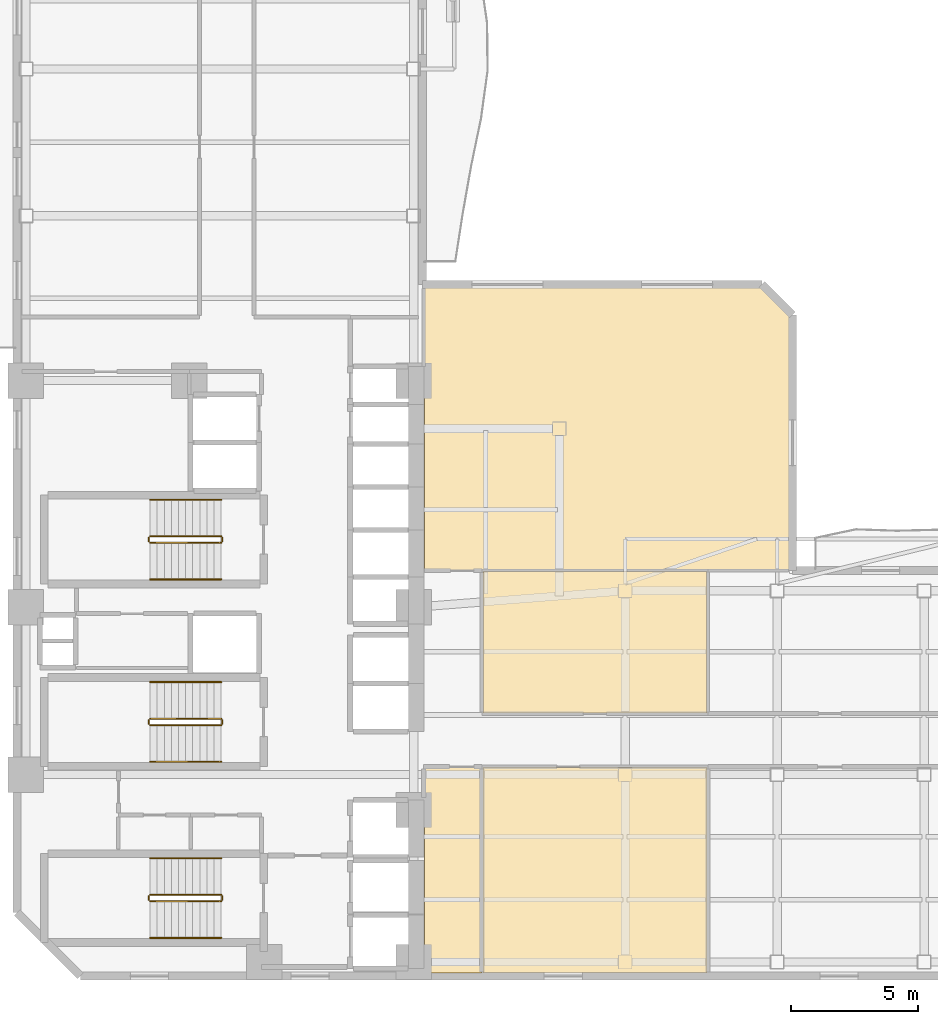
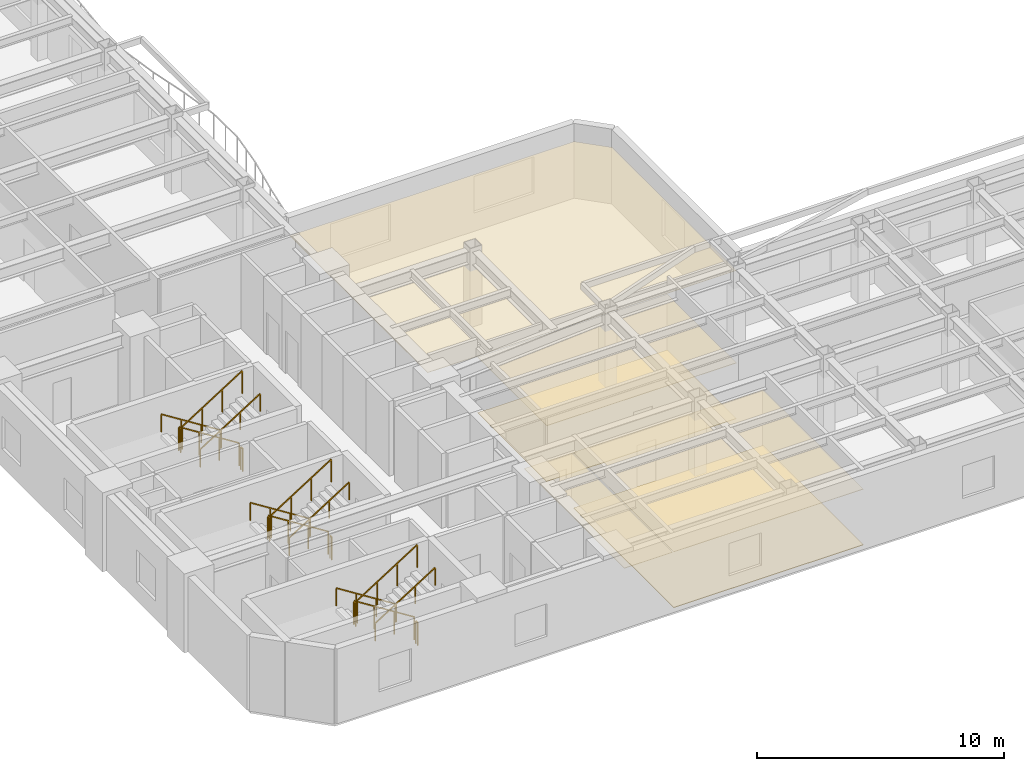
# One storey, part 8 of 10: 18 railings, 6 coverings.
"""IFC4 building model written with IfcOpenShell, lengths in metres."""

from ifc_helpers import new_model, si_unit, direction, frame, origin, origin_2d, place, context, subcontext, project, spatial, polyline, rectangle, outline, extrude, material, layer, layer_set, type_object, element, save


model = new_model("IFC4")

# Units and contexts
model_context = context("Model", 3, precision=1e-05, world=origin(), true_north=direction((0.0, 1.0)))
body_context = subcontext(model_context, "Body", "Model", "MODEL_VIEW")
ifc_project = project(units=[si_unit("LENGTHUNIT", "METRE"), si_unit("AREAUNIT", "SQUARE_METRE"), si_unit("VOLUMEUNIT", "CUBIC_METRE"), si_unit("PLANEANGLEUNIT", "RADIAN"), si_unit("MASSUNIT", "GRAM", prefix="KILO")], contexts=[model_context])

# Site, building, storey
site_placement = place(None, origin())
site = spatial("IfcSite", under=ifc_project, at=site_placement, CompositionType="ELEMENT")
building_placement = place(site_placement, origin())
building = spatial("IfcBuilding", under=site, at=building_placement, Name="Mawjaban Terraces University", CompositionType="ELEMENT")
storey_placement = place(building_placement, frame((0.0, 0.0, 58.300048828125)))
storey = spatial("IfcBuildingStorey", under=building, at=storey_placement, Name="L13", CompositionType="ELEMENT", Elevation=58.300048828125)

# Coverings
ifc_material_1 = material(Name="Acoustic mineral fibre ceiling tile", Category="masonry")
ifc_layer_1 = layer(ifc_material_1, 0.02001953125)
ifc_layer_set_1 = layer_set([ifc_layer_1], Name="Acoustic mineral fibre ceiling tile")
covering_type_1 = type_object("IfcCoveringType", Name="AcousticMineralCeiling_20", PredefinedType="CEILING", material=ifc_layer_set_1)
covering_1_placement = place(storey_placement, frame((0.0, 0.0, 2.75)))
element("IfcCovering", 1, at=covering_1_placement, inside=storey, type_object=covering_type_1, Name="L13 Media Workshop 1 Acoustic Ceiling", PredefinedType="CEILING", context=body_context, shape_type="SweptSolid", body=[
    extrude(outline(polyline([(38.080078125, 0.114990234375), (40.320068359375, 0.114990234375), (40.320068359375, 8.219970703125), (38.080078125, 8.219970703125), (38.080078125, 0.114990234375)])), origin(), (0.0, 0.0, 1.0), 0.02001953125),
])
covering_2_placement = place(storey_placement, frame((0.0, 0.0, 2.75)))
element("IfcCovering", 2, at=covering_2_placement, inside=storey, type_object=covering_type_1, Name="L13 Quiet Reading Room 2 Acoustic Ceiling", PredefinedType="CEILING", context=body_context, shape_type="SweptSolid", body=[
    extrude(outline(polyline([(40.3798828125, 0.114990234375), (49.23291015625, 0.114990234375), (49.23291015625, 8.219970703125), (40.3798828125, 8.219970703125), (40.3798828125, 0.114990234375)])), origin(), (0.0, 0.0, 1.0), 0.02001953125),
])
covering_3_placement = place(storey_placement, frame((0.0, 0.0, 2.75)))
element("IfcCovering", 3, at=covering_3_placement, inside=storey, type_object=covering_type_1, Name="L13 Reading Salon 3 Acoustic Ceiling", PredefinedType="CEILING", context=body_context, shape_type="SweptSolid", body=[
    extrude(outline(polyline([(49.23291015625, 10.3798828125), (49.23291015625, 15.969970703125), (40.3798828125, 15.969970703125), (40.3798828125, 10.3798828125), (49.23291015625, 10.3798828125)])), origin(), (0.0, 0.0, 1.0), 0.02001953125),
])
covering_4_placement = place(storey_placement, frame((0.0, 0.0, 2.75)))
element("IfcCovering", 4, at=covering_4_placement, inside=storey, type_object=covering_type_1, Name="L13 Terrace Collaborative Study Room Acoustic Ceiling", PredefinedType="CEILING", context=body_context, shape_type="SweptSolid", body=[
    extrude(outline(polyline([(52.485107421875, 16.030029296875), (52.485107421875, 26.048095703125), (51.35302734375, 27.179931640625), (38.080078125, 27.179931640625), (38.080078125, 16.030029296875), (52.485107421875, 16.030029296875)])), origin(), (0.0, 0.0, 1.0), 0.02001953125),
])

# Railings
ifc_material_2 = material(Name="Brushed stainless steel 316", Category="steel")
railing_type_1 = type_object("IfcRailingType", Name="StairWallHandrail_900", PredefinedType="HANDRAIL", material=ifc_material_2)
railing_1_placement = place(storey_placement, frame((30.050048828125, 4.64990234375, 0.17724609375)))
element("IfcRailing", 5, at=railing_1_placement, inside=storey, type_object=railing_type_1, Name="L13 ST-1 stair handrail 1", PredefinedType="HANDRAIL", context=body_context, shape_type="SweptSolid", body=[
    extrude(rectangle(XDim=0.048095703125, YDim=0.048095703125, at=origin_2d()), frame((0.0, 0.0, 0.8759765625), z_axis=(-0.844908973607, 0.0, 0.534910110503), x_axis=(0.0, -1.0, 0.0)), (0.0, 0.0, 1.0), 3.31396484375),
    extrude(rectangle(XDim=0.0419921875, YDim=0.0419921875, at=origin_2d()), origin(), (0.0, 0.0, 1.0), 0.851806640625),
    extrude(rectangle(XDim=0.0419921875, YDim=0.0419921875, at=origin_2d()), frame((-0.933349609375, 0.0, 0.5908203125)), (0.0, 0.0, 1.0), 0.851806640625),
    extrude(rectangle(XDim=0.0419921875, YDim=0.0419921875, at=origin_2d()), frame((-1.86669921875, 0.0, 1.181884765625)), (0.0, 0.0, 1.0), 0.851806640625),
    extrude(rectangle(XDim=0.0419921875, YDim=0.0419921875, at=origin_2d()), frame((-2.800048828125, 0.0, 1.772705078125)), (0.0, 0.0, 1.0), 0.851806640625),
])
railing_2_placement = place(storey_placement, frame((27.25, 1.5, 2.127197265625)))
element("IfcRailing", 6, at=railing_2_placement, inside=storey, type_object=railing_type_1, Name="L13 ST-1 stair handrail 2", PredefinedType="HANDRAIL", context=body_context, shape_type="SweptSolid", body=[
    extrude(rectangle(XDim=0.048095703125, YDim=0.048095703125, at=origin_2d()), frame((0.0, 0.0, 0.8759765625), z_axis=(0.844908973607, 0.0, 0.534910110503), x_axis=(0.0, 1.0, 0.0)), (0.0, 0.0, 1.0), 3.31396484375),
    extrude(rectangle(XDim=0.0419921875, YDim=0.0419921875, at=origin_2d()), origin(), (0.0, 0.0, 1.0), 0.851806640625),
    extrude(rectangle(XDim=0.0419921875, YDim=0.0419921875, at=origin_2d()), frame((0.933349609375, 0.0, 0.5908203125)), (0.0, 0.0, 1.0), 0.851806640625),
    extrude(rectangle(XDim=0.0419921875, YDim=0.0419921875, at=origin_2d()), frame((1.86669921875, 0.0, 1.181884765625)), (0.0, 0.0, 1.0), 0.851806640625),
    extrude(rectangle(XDim=0.0419921875, YDim=0.0419921875, at=origin_2d()), frame((2.800048828125, 0.0, 1.772705078125)), (0.0, 0.0, 1.0), 0.851806640625),
])
railing_3_placement = place(storey_placement, frame((30.050048828125, 18.800048828125, 0.17724609375)))
element("IfcRailing", 7, at=railing_3_placement, inside=storey, type_object=railing_type_1, Name="L13 ST-2 stair handrail 1", PredefinedType="HANDRAIL", context=body_context, shape_type="SweptSolid", body=[
    extrude(rectangle(XDim=0.048095703125, YDim=0.048095703125, at=origin_2d()), frame((0.0, 0.0, 0.8759765625), z_axis=(-0.844908973607, 0.0, 0.534910110503), x_axis=(0.0, -1.0, 0.0)), (0.0, 0.0, 1.0), 3.31396484375),
    extrude(rectangle(XDim=0.0419921875, YDim=0.0419921875, at=origin_2d()), origin(), (0.0, 0.0, 1.0), 0.851806640625),
    extrude(rectangle(XDim=0.0419921875, YDim=0.0419921875, at=origin_2d()), frame((-0.933349609375, 0.0, 0.5908203125)), (0.0, 0.0, 1.0), 0.851806640625),
    extrude(rectangle(XDim=0.0419921875, YDim=0.0419921875, at=origin_2d()), frame((-1.86669921875, 0.0, 1.181884765625)), (0.0, 0.0, 1.0), 0.851806640625),
    extrude(rectangle(XDim=0.0419921875, YDim=0.0419921875, at=origin_2d()), frame((-2.800048828125, 0.0, 1.772705078125)), (0.0, 0.0, 1.0), 0.851806640625),
])
railing_4_placement = place(storey_placement, frame((27.25, 15.64990234375, 2.127197265625)))
element("IfcRailing", 8, at=railing_4_placement, inside=storey, type_object=railing_type_1, Name="L13 ST-2 stair handrail 2", PredefinedType="HANDRAIL", context=body_context, shape_type="SweptSolid", body=[
    extrude(rectangle(XDim=0.048095703125, YDim=0.048095703125, at=origin_2d()), frame((0.0, 0.0, 0.8759765625), z_axis=(0.844908973607, 0.0, 0.534910110503), x_axis=(0.0, 1.0, 0.0)), (0.0, 0.0, 1.0), 3.31396484375),
    extrude(rectangle(XDim=0.0419921875, YDim=0.0419921875, at=origin_2d()), origin(), (0.0, 0.0, 1.0), 0.851806640625),
    extrude(rectangle(XDim=0.0419921875, YDim=0.0419921875, at=origin_2d()), frame((0.933349609375, 0.0, 0.5908203125)), (0.0, 0.0, 1.0), 0.851806640625),
    extrude(rectangle(XDim=0.0419921875, YDim=0.0419921875, at=origin_2d()), frame((1.86669921875, 0.0, 1.181884765625)), (0.0, 0.0, 1.0), 0.851806640625),
    extrude(rectangle(XDim=0.0419921875, YDim=0.0419921875, at=origin_2d()), frame((2.800048828125, 0.0, 1.772705078125)), (0.0, 0.0, 1.0), 0.851806640625),
])
railing_5_placement = place(storey_placement, frame((30.050048828125, 11.60009765625, 0.17724609375)))
element("IfcRailing", 9, at=railing_5_placement, inside=storey, type_object=railing_type_1, Name="L13 ST-3 stair handrail 1", PredefinedType="HANDRAIL", context=body_context, shape_type="SweptSolid", body=[
    extrude(rectangle(XDim=0.048095703125, YDim=0.048095703125, at=origin_2d()), frame((0.0, 0.0, 0.8759765625), z_axis=(-0.844908973607, 0.0, 0.534910110503), x_axis=(0.0, -1.0, 0.0)), (0.0, 0.0, 1.0), 3.31396484375),
    extrude(rectangle(XDim=0.0419921875, YDim=0.0419921875, at=origin_2d()), origin(), (0.0, 0.0, 1.0), 0.851806640625),
    extrude(rectangle(XDim=0.0419921875, YDim=0.0419921875, at=origin_2d()), frame((-0.933349609375, 0.0, 0.5908203125)), (0.0, 0.0, 1.0), 0.851806640625),
    extrude(rectangle(XDim=0.0419921875, YDim=0.0419921875, at=origin_2d()), frame((-1.86669921875, 0.0, 1.181884765625)), (0.0, 0.0, 1.0), 0.851806640625),
    extrude(rectangle(XDim=0.0419921875, YDim=0.0419921875, at=origin_2d()), frame((-2.800048828125, 0.0, 1.772705078125)), (0.0, 0.0, 1.0), 0.851806640625),
])
railing_6_placement = place(storey_placement, frame((27.25, 8.449951171875, 2.127197265625)))
element("IfcRailing", 10, at=railing_6_placement, inside=storey, type_object=railing_type_1, Name="L13 ST-3 stair handrail 2", PredefinedType="HANDRAIL", context=body_context, shape_type="SweptSolid", body=[
    extrude(rectangle(XDim=0.048095703125, YDim=0.048095703125, at=origin_2d()), frame((0.0, 0.0, 0.8759765625), z_axis=(0.844908973607, 0.0, 0.534910110503), x_axis=(0.0, 1.0, 0.0)), (0.0, 0.0, 1.0), 3.31396484375),
    extrude(rectangle(XDim=0.0419921875, YDim=0.0419921875, at=origin_2d()), origin(), (0.0, 0.0, 1.0), 0.851806640625),
    extrude(rectangle(XDim=0.0419921875, YDim=0.0419921875, at=origin_2d()), frame((0.933349609375, 0.0, 0.5908203125)), (0.0, 0.0, 1.0), 0.851806640625),
    extrude(rectangle(XDim=0.0419921875, YDim=0.0419921875, at=origin_2d()), frame((1.86669921875, 0.0, 1.181884765625)), (0.0, 0.0, 1.0), 0.851806640625),
    extrude(rectangle(XDim=0.0419921875, YDim=0.0419921875, at=origin_2d()), frame((2.800048828125, 0.0, 1.772705078125)), (0.0, 0.0, 1.0), 0.851806640625),
])
ifc_material_3 = material(Name="Galvanised painted steel S355", Category="steel")
railing_type_2 = type_object("IfcRailingType", Name="StairWellGuard_1150", PredefinedType="BALUSTRADE", material=ifc_material_3)
railing_7_placement = place(storey_placement, frame((30.050048828125, 3.199951171875, 0.17724609375)))
element("IfcRailing", 11, at=railing_7_placement, inside=storey, type_object=railing_type_2, Name="L13 ST-1 stair guard 1", PredefinedType="BALUSTRADE", context=body_context, shape_type="SweptSolid", body=[
    extrude(rectangle(XDim=0.048095703125, YDim=0.048095703125, at=origin_2d()), frame((0.0, 0.0, 1.1259765625), z_axis=(-0.844908973607, 0.0, 0.534910110503), x_axis=(0.0, -1.0, 0.0)), (0.0, 0.0, 1.0), 3.31396484375),
    extrude(rectangle(XDim=0.0419921875, YDim=0.0419921875, at=origin_2d()), origin(), (0.0, 0.0, 1.0), 1.101806640625),
    extrude(rectangle(XDim=0.0419921875, YDim=0.0419921875, at=origin_2d()), frame((-0.933349609375, 0.0, 0.5908203125)), (0.0, 0.0, 1.0), 1.101806640625),
    extrude(rectangle(XDim=0.0419921875, YDim=0.0419921875, at=origin_2d()), frame((-1.86669921875, 0.0, 1.181884765625)), (0.0, 0.0, 1.0), 1.101806640625),
    extrude(rectangle(XDim=0.0419921875, YDim=0.0419921875, at=origin_2d()), frame((-2.800048828125, 0.0, 1.772705078125)), (0.0, 0.0, 1.0), 1.101806640625),
])
railing_8_placement = place(storey_placement, frame((27.199951171875, 3.14990234375, 1.949951171875)))
element("IfcRailing", 12, at=railing_8_placement, inside=storey, type_object=railing_type_2, Name="L13 ST-1 stair guard 2", PredefinedType="BALUSTRADE", context=body_context, shape_type="SweptSolid", body=[
    extrude(rectangle(XDim=0.048095703125, YDim=0.048095703125, at=origin_2d()), frame((0.0, 0.0, 1.1259765625), z_axis=(0.0, -1.0, 0.0), x_axis=(1.0, 0.0, 0.0)), (0.0, 0.0, 1.0), 0.14990234375),
    extrude(rectangle(XDim=0.0419921875, YDim=0.0419921875, at=origin_2d()), origin(), (0.0, 0.0, 1.0), 1.101806640625),
    extrude(rectangle(XDim=0.0419921875, YDim=0.0419921875, at=origin_2d()), frame((0.0, -0.14990234375, 0.0)), (0.0, 0.0, 1.0), 1.101806640625),
])
railing_9_placement = place(storey_placement, frame((27.25, 2.949951171875, 2.127197265625)))
element("IfcRailing", 13, at=railing_9_placement, inside=storey, type_object=railing_type_2, Name="L13 ST-1 stair guard 3", PredefinedType="BALUSTRADE", context=body_context, shape_type="SweptSolid", body=[
    extrude(rectangle(XDim=0.048095703125, YDim=0.048095703125, at=origin_2d()), frame((0.0, 0.0, 1.1259765625), z_axis=(0.844908973607, 0.0, 0.534910110503), x_axis=(0.0, 1.0, 0.0)), (0.0, 0.0, 1.0), 3.31396484375),
    extrude(rectangle(XDim=0.0419921875, YDim=0.0419921875, at=origin_2d()), origin(), (0.0, 0.0, 1.0), 1.101806640625),
    extrude(rectangle(XDim=0.0419921875, YDim=0.0419921875, at=origin_2d()), frame((0.933349609375, 0.0, 0.5908203125)), (0.0, 0.0, 1.0), 1.101806640625),
    extrude(rectangle(XDim=0.0419921875, YDim=0.0419921875, at=origin_2d()), frame((1.86669921875, 0.0, 1.181884765625)), (0.0, 0.0, 1.0), 1.101806640625),
    extrude(rectangle(XDim=0.0419921875, YDim=0.0419921875, at=origin_2d()), frame((2.800048828125, 0.0, 1.772705078125)), (0.0, 0.0, 1.0), 1.101806640625),
])
railing_10_placement = place(storey_placement, frame((30.10009765625, 3.14990234375, 0.0)))
element("IfcRailing", 14, at=railing_10_placement, inside=storey, type_object=railing_type_2, Name="L13 ST-1 stair guard 4", PredefinedType="BALUSTRADE", context=body_context, shape_type="SweptSolid", body=[
    extrude(rectangle(XDim=0.048095703125, YDim=0.048095703125, at=origin_2d()), frame((0.0, 0.0, 1.1259765625), z_axis=(0.0, -1.0, 0.0), x_axis=(1.0, 0.0, 0.0)), (0.0, 0.0, 1.0), 0.14990234375),
    extrude(rectangle(XDim=0.0419921875, YDim=0.0419921875, at=origin_2d()), origin(), (0.0, 0.0, 1.0), 1.101806640625),
    extrude(rectangle(XDim=0.0419921875, YDim=0.0419921875, at=origin_2d()), frame((0.0, -0.14990234375, 0.0)), (0.0, 0.0, 1.0), 1.101806640625),
])
railing_11_placement = place(storey_placement, frame((30.050048828125, 17.35009765625, 0.17724609375)))
element("IfcRailing", 15, at=railing_11_placement, inside=storey, type_object=railing_type_2, Name="L13 ST-2 stair guard 1", PredefinedType="BALUSTRADE", context=body_context, shape_type="SweptSolid", body=[
    extrude(rectangle(XDim=0.048095703125, YDim=0.048095703125, at=origin_2d()), frame((0.0, 0.0, 1.1259765625), z_axis=(-0.844908973607, 0.0, 0.534910110503), x_axis=(0.0, -1.0, 0.0)), (0.0, 0.0, 1.0), 3.31396484375),
    extrude(rectangle(XDim=0.0419921875, YDim=0.0419921875, at=origin_2d()), origin(), (0.0, 0.0, 1.0), 1.101806640625),
    extrude(rectangle(XDim=0.0419921875, YDim=0.0419921875, at=origin_2d()), frame((-0.933349609375, 0.0, 0.5908203125)), (0.0, 0.0, 1.0), 1.101806640625),
    extrude(rectangle(XDim=0.0419921875, YDim=0.0419921875, at=origin_2d()), frame((-1.86669921875, 0.0, 1.181884765625)), (0.0, 0.0, 1.0), 1.101806640625),
    extrude(rectangle(XDim=0.0419921875, YDim=0.0419921875, at=origin_2d()), frame((-2.800048828125, 0.0, 1.772705078125)), (0.0, 0.0, 1.0), 1.101806640625),
])
railing_12_placement = place(storey_placement, frame((27.199951171875, 17.300048828125, 1.949951171875)))
element("IfcRailing", 16, at=railing_12_placement, inside=storey, type_object=railing_type_2, Name="L13 ST-2 stair guard 2", PredefinedType="BALUSTRADE", context=body_context, shape_type="SweptSolid", body=[
    extrude(rectangle(XDim=0.048095703125, YDim=0.048095703125, at=origin_2d()), frame((0.0, 0.0, 1.1259765625), z_axis=(0.0, -1.0, 0.0), x_axis=(1.0, 0.0, 0.0)), (0.0, 0.0, 1.0), 0.150146484375),
    extrude(rectangle(XDim=0.0419921875, YDim=0.0419921875, at=origin_2d()), origin(), (0.0, 0.0, 1.0), 1.101806640625),
    extrude(rectangle(XDim=0.0419921875, YDim=0.0419921875, at=origin_2d()), frame((0.0, -0.150146484375, 0.0)), (0.0, 0.0, 1.0), 1.101806640625),
])
railing_13_placement = place(storey_placement, frame((27.25, 17.10009765625, 2.127197265625)))
element("IfcRailing", 17, at=railing_13_placement, inside=storey, type_object=railing_type_2, Name="L13 ST-2 stair guard 3", PredefinedType="BALUSTRADE", context=body_context, shape_type="SweptSolid", body=[
    extrude(rectangle(XDim=0.048095703125, YDim=0.048095703125, at=origin_2d()), frame((0.0, 0.0, 1.1259765625), z_axis=(0.844908973607, 0.0, 0.534910110503), x_axis=(0.0, 1.0, 0.0)), (0.0, 0.0, 1.0), 3.31396484375),
    extrude(rectangle(XDim=0.0419921875, YDim=0.0419921875, at=origin_2d()), origin(), (0.0, 0.0, 1.0), 1.101806640625),
    extrude(rectangle(XDim=0.0419921875, YDim=0.0419921875, at=origin_2d()), frame((0.933349609375, 0.0, 0.5908203125)), (0.0, 0.0, 1.0), 1.101806640625),
    extrude(rectangle(XDim=0.0419921875, YDim=0.0419921875, at=origin_2d()), frame((1.86669921875, 0.0, 1.181884765625)), (0.0, 0.0, 1.0), 1.101806640625),
    extrude(rectangle(XDim=0.0419921875, YDim=0.0419921875, at=origin_2d()), frame((2.800048828125, 0.0, 1.772705078125)), (0.0, 0.0, 1.0), 1.101806640625),
])
railing_14_placement = place(storey_placement, frame((30.10009765625, 17.300048828125, 0.0)))
element("IfcRailing", 18, at=railing_14_placement, inside=storey, type_object=railing_type_2, Name="L13 ST-2 stair guard 4", PredefinedType="BALUSTRADE", context=body_context, shape_type="SweptSolid", body=[
    extrude(rectangle(XDim=0.048095703125, YDim=0.048095703125, at=origin_2d()), frame((0.0, 0.0, 1.1259765625), z_axis=(0.0, -1.0, 0.0), x_axis=(1.0, 0.0, 0.0)), (0.0, 0.0, 1.0), 0.150146484375),
    extrude(rectangle(XDim=0.0419921875, YDim=0.0419921875, at=origin_2d()), origin(), (0.0, 0.0, 1.0), 1.101806640625),
    extrude(rectangle(XDim=0.0419921875, YDim=0.0419921875, at=origin_2d()), frame((0.0, -0.150146484375, 0.0)), (0.0, 0.0, 1.0), 1.101806640625),
])
railing_15_placement = place(storey_placement, frame((30.050048828125, 10.14990234375, 0.17724609375)))
element("IfcRailing", 19, at=railing_15_placement, inside=storey, type_object=railing_type_2, Name="L13 ST-3 stair guard 1", PredefinedType="BALUSTRADE", context=body_context, shape_type="SweptSolid", body=[
    extrude(rectangle(XDim=0.048095703125, YDim=0.048095703125, at=origin_2d()), frame((0.0, 0.0, 1.1259765625), z_axis=(-0.844908973607, 0.0, 0.534910110503), x_axis=(0.0, -1.0, 0.0)), (0.0, 0.0, 1.0), 3.31396484375),
    extrude(rectangle(XDim=0.0419921875, YDim=0.0419921875, at=origin_2d()), origin(), (0.0, 0.0, 1.0), 1.101806640625),
    extrude(rectangle(XDim=0.0419921875, YDim=0.0419921875, at=origin_2d()), frame((-0.933349609375, 0.0, 0.5908203125)), (0.0, 0.0, 1.0), 1.101806640625),
    extrude(rectangle(XDim=0.0419921875, YDim=0.0419921875, at=origin_2d()), frame((-1.86669921875, 0.0, 1.181884765625)), (0.0, 0.0, 1.0), 1.101806640625),
    extrude(rectangle(XDim=0.0419921875, YDim=0.0419921875, at=origin_2d()), frame((-2.800048828125, 0.0, 1.772705078125)), (0.0, 0.0, 1.0), 1.101806640625),
])
railing_16_placement = place(storey_placement, frame((27.199951171875, 10.10009765625, 1.949951171875)))
element("IfcRailing", 20, at=railing_16_placement, inside=storey, type_object=railing_type_2, Name="L13 ST-3 stair guard 2", PredefinedType="BALUSTRADE", context=body_context, shape_type="SweptSolid", body=[
    extrude(rectangle(XDim=0.048095703125, YDim=0.048095703125, at=origin_2d()), frame((0.0, 0.0, 1.1259765625), z_axis=(0.0, -1.0, 0.0), x_axis=(1.0, 0.0, 0.0)), (0.0, 0.0, 1.0), 0.150146484375),
    extrude(rectangle(XDim=0.0419921875, YDim=0.0419921875, at=origin_2d()), origin(), (0.0, 0.0, 1.0), 1.101806640625),
    extrude(rectangle(XDim=0.0419921875, YDim=0.0419921875, at=origin_2d()), frame((0.0, -0.150146484375, 0.0)), (0.0, 0.0, 1.0), 1.101806640625),
])
railing_17_placement = place(storey_placement, frame((27.25, 9.89990234375, 2.127197265625)))
element("IfcRailing", 21, at=railing_17_placement, inside=storey, type_object=railing_type_2, Name="L13 ST-3 stair guard 3", PredefinedType="BALUSTRADE", context=body_context, shape_type="SweptSolid", body=[
    extrude(rectangle(XDim=0.048095703125, YDim=0.048095703125, at=origin_2d()), frame((0.0, 0.0, 1.1259765625), z_axis=(0.844908973607, 0.0, 0.534910110503), x_axis=(0.0, 1.0, 0.0)), (0.0, 0.0, 1.0), 3.31396484375),
    extrude(rectangle(XDim=0.0419921875, YDim=0.0419921875, at=origin_2d()), origin(), (0.0, 0.0, 1.0), 1.101806640625),
    extrude(rectangle(XDim=0.0419921875, YDim=0.0419921875, at=origin_2d()), frame((0.933349609375, 0.0, 0.5908203125)), (0.0, 0.0, 1.0), 1.101806640625),
    extrude(rectangle(XDim=0.0419921875, YDim=0.0419921875, at=origin_2d()), frame((1.86669921875, 0.0, 1.181884765625)), (0.0, 0.0, 1.0), 1.101806640625),
    extrude(rectangle(XDim=0.0419921875, YDim=0.0419921875, at=origin_2d()), frame((2.800048828125, 0.0, 1.772705078125)), (0.0, 0.0, 1.0), 1.101806640625),
])
railing_18_placement = place(storey_placement, frame((30.10009765625, 10.10009765625, 0.0)))
element("IfcRailing", 22, at=railing_18_placement, inside=storey, type_object=railing_type_2, Name="L13 ST-3 stair guard 4", PredefinedType="BALUSTRADE", context=body_context, shape_type="SweptSolid", body=[
    extrude(rectangle(XDim=0.048095703125, YDim=0.048095703125, at=origin_2d()), frame((0.0, 0.0, 1.1259765625), z_axis=(0.0, -1.0, 0.0), x_axis=(1.0, 0.0, 0.0)), (0.0, 0.0, 1.0), 0.150146484375),
    extrude(rectangle(XDim=0.0419921875, YDim=0.0419921875, at=origin_2d()), origin(), (0.0, 0.0, 1.0), 1.101806640625),
    extrude(rectangle(XDim=0.0419921875, YDim=0.0419921875, at=origin_2d()), frame((0.0, -0.150146484375, 0.0)), (0.0, 0.0, 1.0), 1.101806640625),
])

# Coverings
ifc_material_4 = material(Name="Polished Hijazi granite terrazzo flooring", Category="masonry")
ifc_layer_2 = layer(ifc_material_4, 0.02490234375)
ifc_layer_set_2 = layer_set([ifc_layer_2], Name="Polished Hijazi granite terrazzo flooring")
covering_type_2 = type_object("IfcCoveringType", Name="TerrazzoConcourseFlooring_25", PredefinedType="FLOORING", material=ifc_layer_set_2)
covering_5_placement = place(storey_placement, origin())
element("IfcCovering", 23, at=covering_5_placement, inside=storey, type_object=covering_type_2, Name="L13 Quiet Reading Room 2 Terrazzo Flooring", PredefinedType="FLOORING", context=body_context, shape_type="SweptSolid", body=[
    extrude(outline(polyline([(40.3798828125, 0.114990234375), (49.23291015625, 0.114990234375), (49.23291015625, 8.219970703125), (40.3798828125, 8.219970703125), (40.3798828125, 0.114990234375)])), origin(), (0.0, 0.0, 1.0), 0.02490234375),
])
covering_6_placement = place(storey_placement, origin())
element("IfcCovering", 24, at=covering_6_placement, inside=storey, type_object=covering_type_2, Name="L13 Reading Salon 3 Terrazzo Flooring", PredefinedType="FLOORING", context=body_context, shape_type="SweptSolid", body=[
    extrude(outline(polyline([(49.23291015625, 10.3798828125), (49.23291015625, 15.969970703125), (40.3798828125, 15.969970703125), (40.3798828125, 10.3798828125), (49.23291015625, 10.3798828125)])), origin(), (0.0, 0.0, 1.0), 0.02490234375),
])

save(model, "model.ifc")
